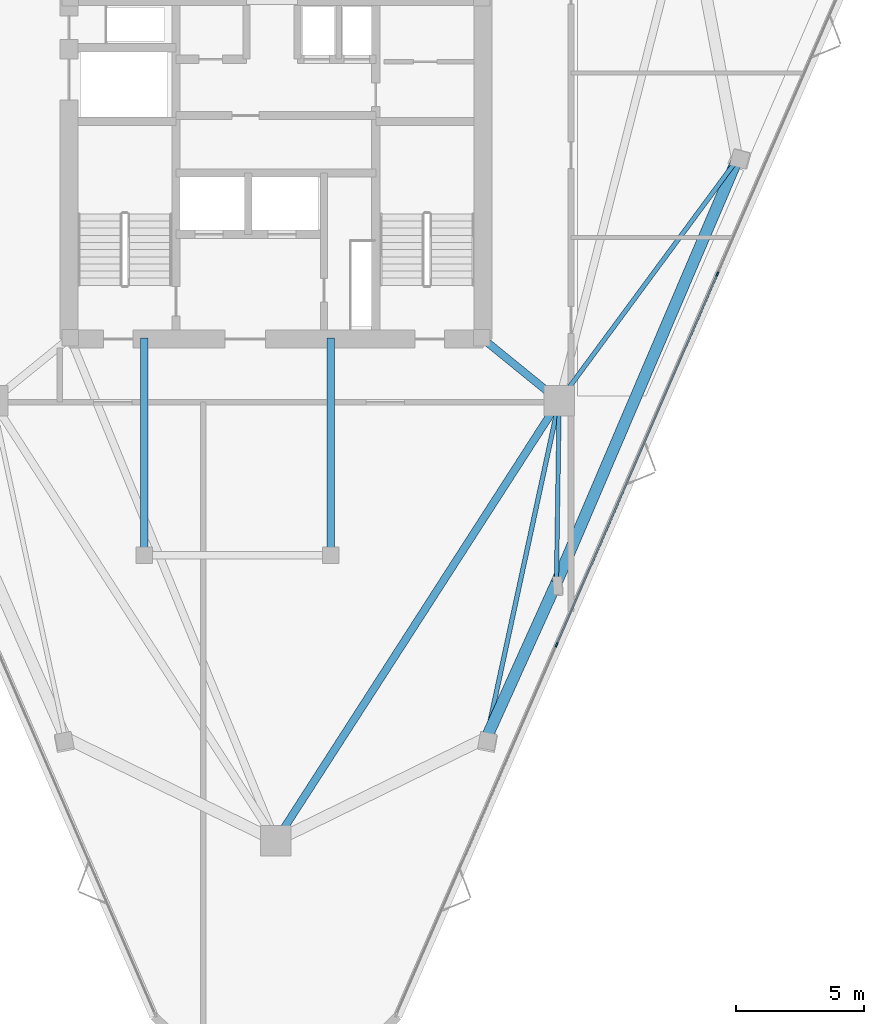
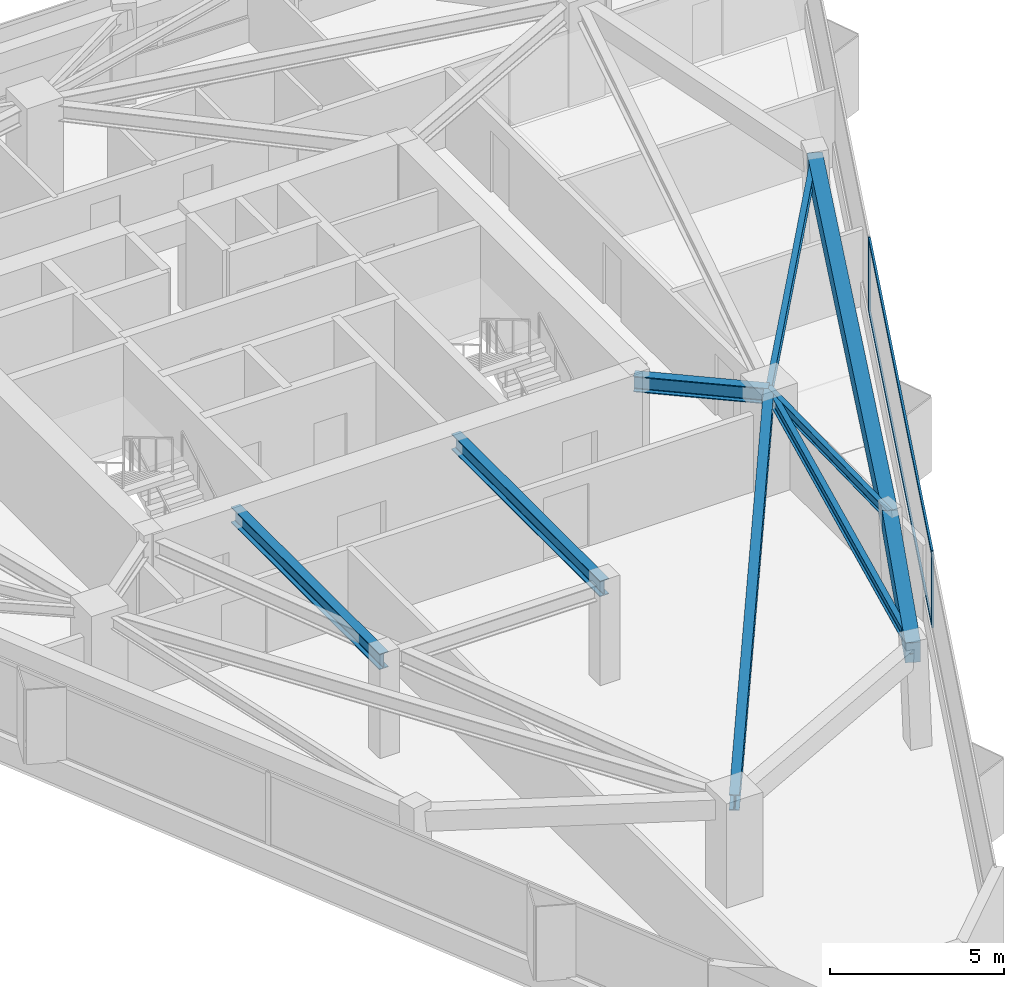
# One storey, part 4 of 11: 9 beams, 4 members, 1 element without a shape of its own.
"""IFC4 building model written with IfcOpenShell, lengths in metres."""

from ifc_helpers import new_model, si_unit, direction, frame, origin, origin_2d, place, context, subcontext, project, spatial, rectangle, i_section, extrude, material, layer, layer_set, material_profile, profile_set, type_object, element, aggregate, save


model = new_model("IFC4")

# Units and contexts
model_context = context("Model", 3, precision=1e-05, world=origin(), true_north=direction((0.0, 1.0)))
body_context = subcontext(model_context, "Body", "Model", "MODEL_VIEW")
ifc_project = project(units=[si_unit("LENGTHUNIT", "METRE"), si_unit("AREAUNIT", "SQUARE_METRE"), si_unit("VOLUMEUNIT", "CUBIC_METRE"), si_unit("PLANEANGLEUNIT", "RADIAN"), si_unit("MASSUNIT", "GRAM", prefix="KILO")], contexts=[model_context])

# Site, building, storey
site_placement = place(None, origin())
site = spatial("IfcSite", under=ifc_project, at=site_placement, CompositionType="ELEMENT")
building_placement = place(site_placement, origin())
building = spatial("IfcBuilding", under=site, at=building_placement, Name="Talyreon Biosciences Tower", CompositionType="ELEMENT")
storey_placement = place(building_placement, frame((0.0, 0.0, 235.25)))
storey = spatial("IfcBuildingStorey", under=building, at=storey_placement, Name="L62", CompositionType="ELEMENT", Elevation=235.25)

# Curtain wall, members
ifc_material_1 = material(Name="Thermally broken aluminium and low-E glazing", Category="aluminium")
ifc_layer = layer(ifc_material_1, 0.175048828125)
ifc_layer_set = layer_set([ifc_layer], Name="Thermally broken aluminium and low-E glazing")
curtain_wall_type = type_object("IfcCurtainWallType", Name="CurtainWall_Zone5CompLab", PredefinedType="NOTDEFINED", material=ifc_layer_set)
curtain_wall_placement = place(storey_placement, origin())
curtain_wall = element("IfcCurtainWall", 1, at=curtain_wall_placement, inside=storey, type_object=curtain_wall_type, Name="L62 Unitised Curtain Wall FCW-L62-08", PredefinedType="NOTDEFINED")
ifc_material_2 = material(Name="Anodised thermally broken aluminium", Category="aluminium")
ifc_material_profile_1 = material_profile(ifc_material_2, rectangle(XDim=0.06494140625, YDim=0.179931640625, at=origin_2d()), Name="ALUM MULLION 65x180")
ifc_profile_set_1 = profile_set([ifc_material_profile_1], Name="Anodised thermally broken aluminium")
member_type_1 = type_object("IfcMemberType", Name="CWMullion_65x180", PredefinedType="MULLION", material=ifc_profile_set_1)
member_1_placement = place(storey_placement, frame((83.27685546875, 63.8427734375, 0.81005859375), z_axis=(0.0, 0.0, 1.0), x_axis=(0.917458244079, -0.397832088162, 0.0)))
member_1 = element("IfcMember", 2, at=member_1_placement, type_object=member_type_1, Name="CW6 mullion 2", PredefinedType="MULLION", context=body_context, shape_type="SweptSolid", body=[
    extrude(rectangle(XDim=0.06494140625, YDim=0.179931640625, at=origin_2d()), origin(), (0.0, 0.0, 1.0), 2.58984375),
])
member_2_placement = place(storey_placement, frame((76.987060546875, 49.337646484375, 0.81005859375), z_axis=(0.0, 0.0, 1.0), x_axis=(0.917458244079, -0.397832088162, 0.0)))
member_2 = element("IfcMember", 3, at=member_2_placement, type_object=member_type_1, Name="CW6 mullion 3", PredefinedType="MULLION", context=body_context, shape_type="SweptSolid", body=[
    extrude(rectangle(XDim=0.06494140625, YDim=0.179931640625, at=origin_2d()), origin(), (0.0, 0.0, 1.0), 2.58984375),
])
ifc_material_profile_2 = material_profile(ifc_material_2, rectangle(XDim=0.06494140625, YDim=0.139892578125, at=origin_2d()), Name="ALUM TRANSOM 65x140")
ifc_profile_set_2 = profile_set([ifc_material_profile_2], Name="Anodised thermally broken aluminium")
member_type_2 = type_object("IfcMemberType", Name="CWTransom_65x140", PredefinedType="USERDEFINED", material=ifc_profile_set_2)
member_3_placement = place(storey_placement, frame((83.263916015625, 63.81298828125, 0.842529296875), z_axis=(-0.397830656241, -0.917458864993, 0.0), x_axis=(0.917458864993, -0.397830656241, 0.0)))
member_3 = element("IfcMember", 4, at=member_3_placement, type_object=member_type_2, Name="CW6 transom 2.1", ObjectType="TRANSOM", PredefinedType="USERDEFINED", context=body_context, shape_type="SweptSolid", body=[
    extrude(rectangle(XDim=0.06494140625, YDim=0.139892578125, at=origin_2d()), origin(), (0.0, 0.0, 1.0), 15.7451171875),
])
member_4_placement = place(storey_placement, frame((83.263916015625, 63.81298828125, 3.367431640625), z_axis=(-0.397830656241, -0.917458864993, 0.0), x_axis=(0.917458864993, -0.397830656241, 0.0)))
member_4 = element("IfcMember", 5, at=member_4_placement, type_object=member_type_2, Name="CW6 transom 2.2", ObjectType="TRANSOM", PredefinedType="USERDEFINED", context=body_context, shape_type="SweptSolid", body=[
    extrude(rectangle(XDim=0.06494140625, YDim=0.139892578125, at=origin_2d()), origin(), (0.0, 0.0, 1.0), 15.7451171875),
])
aggregate(curtain_wall, [member_1, member_2, member_3, member_4])

# Beams
ifc_material_3 = material(Name="Precast concrete C45/55", Category="concrete")
ifc_material_profile_3 = material_profile(ifc_material_3, rectangle(XDim=0.449951171875, YDim=0.699951171875, at=origin_2d()), Name="RCB 450x700")
ifc_profile_set_3 = profile_set([ifc_material_profile_3], Name="Precast concrete C45/55")
beam_type_1 = type_object("IfcBeamType", Name="ExpressedSpandrel_450x700", PredefinedType="SPANDREL", material=ifc_profile_set_3)
beam_1_placement = place(storey_placement, frame((74.244384765625, 45.701904296875, 3.050048828125), z_axis=(0.411588692392, 0.911369709994, 0.0), x_axis=(-0.911369709994, 0.411588692392, 0.0)))
element("IfcBeam", 6, at=beam_1_placement, inside=storey, type_object=beam_type_1, Name="L62 Expressed Horizontal Concrete Spandrel 02", PredefinedType="SPANDREL", context=body_context, shape_type="SweptSolid", body=[
    extrude(rectangle(XDim=0.449951171875, YDim=0.699951171875, at=origin_2d()), origin(), (0.0, 0.0, 1.0), 6.64111328125),
])
beam_2_placement = place(storey_placement, frame((76.977783203125, 51.75439453125, 3.050048828125), z_axis=(0.392740276482, 0.919649430614, 0.0), x_axis=(-0.919649430614, 0.392740276482, 0.0)))
element("IfcBeam", 7, at=beam_2_placement, inside=storey, type_object=beam_type_1, Name="L62 Expressed Horizontal Concrete Spandrel 03", PredefinedType="SPANDREL", context=body_context, shape_type="SweptSolid", body=[
    extrude(rectangle(XDim=0.449951171875, YDim=0.699951171875, at=origin_2d()), origin(), (0.0, 0.0, 1.0), 18.023681640625),
])
ifc_material_4 = material(Name="Steel SM355", Category="steel")
ifc_material_profile_4 = material_profile(ifc_material_4, i_section(OverallWidth=0.300048828125, OverallDepth=0.550048828125, WebThickness=0.014892578125, FlangeThickness=0.029052734375, FilletRadius=0.027099609375, at=origin_2d()), Name="HE550B")
ifc_profile_set_4 = profile_set([ifc_material_profile_4], Name="Steel SM355")
beam_type_2 = type_object("IfcBeamType", Name="SteelBeam_HE550B", PredefinedType="BEAM", material=ifc_profile_set_4)
beam_3_placement = place(storey_placement, frame((66.0, 41.6669921875, 3.125), z_axis=(0.541463723609, 0.840724114092, 0.0), x_axis=(-0.840724114092, 0.541463723609, 0.0)))
element("IfcBeam", 8, at=beam_3_placement, inside=storey, type_object=beam_type_2, Name="L62 Mega-Ring Girder 1", PredefinedType="BEAM", context=body_context, shape_type="SweptSolid", body=[
    extrude(i_section(OverallWidth=0.300048828125, OverallDepth=0.550048828125, WebThickness=0.014892578125, FlangeThickness=0.029052734375, FilletRadius=0.027099609375, at=origin_2d()), origin(), (0.0, 0.0, 1.0), 20.474365234375),
])
beam_4_placement = place(storey_placement, frame((74.050048828125, 61.35009765625, 3.125), z_axis=(0.775755154013, -0.631034025249, 0.0), x_axis=(0.631034025249, 0.775755154013, 0.0)))
element("IfcBeam", 9, at=beam_4_placement, inside=storey, type_object=beam_type_2, Name="L62 Radial Primary Girder 2", PredefinedType="BEAM", context=body_context, shape_type="SweptSolid", body=[
    extrude(i_section(OverallWidth=0.300048828125, OverallDepth=0.550048828125, WebThickness=0.014892578125, FlangeThickness=0.029052734375, FilletRadius=0.027099609375, at=origin_2d()), origin(), (0.0, 0.0, 1.0), 3.913818359375),
])
for number, where, z_axis, x_axis, name in (
    (10, (60.85009765625, 52.840087890625, 3.125), (0.0, 1.0, 0.0), (-1.0, 0.0, 0.0), "L62 Crown Shaft Tie Girder W"),
    (11, (68.14990234375, 52.840087890625, 3.125), (0.0, 1.0, 0.0), (-1.0, 0.0, 0.0), "L62 Crown Shaft Tie Girder E"),
):
    element("IfcBeam", number, at=place(storey_placement, frame(where, z_axis=z_axis, x_axis=x_axis)), inside=storey, type_object=beam_type_2, Name=name, PredefinedType="BEAM", context=body_context, shape_type="SweptSolid", body=[
        extrude(i_section(OverallWidth=0.300048828125, OverallDepth=0.550048828125, WebThickness=0.014892578125, FlangeThickness=0.029052734375, FilletRadius=0.027099609375, at=origin_2d()), origin(), (0.0, 0.0, 1.0), 8.510009765625),
    ])
ifc_material_profile_5 = material_profile(ifc_material_4, i_section(OverallWidth=0.169921875, OverallDepth=0.360107421875, WebThickness=0.008056640625, FlangeThickness=0.0126953125, FilletRadius=0.01806640625, at=origin_2d()), Name="IPE360")
ifc_profile_set_5 = profile_set([ifc_material_profile_5], Name="Steel SM355")
beam_type_3 = type_object("IfcBeamType", Name="SteelJoist_IPE360", PredefinedType="JOIST", material=ifc_profile_set_5)
beam_5_placement = place(storey_placement, frame((77.086181640625, 58.88037109375, 3.219970703125), z_axis=(-0.015209971181, -0.999884321698, 0.0), x_axis=(0.999884321698, -0.015209971181, 0.0)))
element("IfcBeam", 12, at=beam_5_placement, inside=storey, type_object=beam_type_3, Name="L62 Radial Composite Floor Joist PL-SE", PredefinedType="JOIST", context=body_context, shape_type="SweptSolid", body=[
    extrude(i_section(OverallWidth=0.169921875, OverallDepth=0.360107421875, WebThickness=0.008056640625, FlangeThickness=0.0126953125, FilletRadius=0.01806640625, at=origin_2d()), origin(), (0.0, 0.0, 1.0), 7.126708984375),
])
ifc_material_profile_6 = material_profile(ifc_material_4, i_section(OverallWidth=0.179931640625, OverallDepth=0.39990234375, WebThickness=0.008544921875, FlangeThickness=0.013427734375, FilletRadius=0.02099609375, at=origin_2d()), Name="IPE400")
ifc_profile_set_6 = profile_set([ifc_material_profile_6], Name="Steel SM355")
beam_type_4 = type_object("IfcBeamType", Name="SteelJoist_IPE400", PredefinedType="JOIST", material=ifc_profile_set_6)
beam_6_placement = place(storey_placement, frame((77.086181640625, 58.88037109375, 3.199951171875), z_axis=(-0.210794101972, -0.977530483706, 0.0), x_axis=(0.977530483706, -0.210794101972, 0.0)))
element("IfcBeam", 13, at=beam_6_placement, inside=storey, type_object=beam_type_4, Name="L62 Radial Composite Floor Joist PC-SE1", PredefinedType="JOIST", context=body_context, shape_type="SweptSolid", body=[
    extrude(i_section(OverallWidth=0.179931640625, OverallDepth=0.39990234375, WebThickness=0.008544921875, FlangeThickness=0.013427734375, FilletRadius=0.02099609375, at=origin_2d()), origin(), (0.0, 0.0, 1.0), 13.4814453125),
])
beam_7_placement = place(storey_placement, frame((77.086181640625, 58.88037109375, 3.199951171875), z_axis=(0.593610320298, 0.804752625119, 0.0), x_axis=(-0.804752625119, 0.593610320298, 0.0)))
element("IfcBeam", 14, at=beam_7_placement, inside=storey, type_object=beam_type_4, Name="L62 Radial Composite Floor Joist PC-SE2", PredefinedType="JOIST", context=body_context, shape_type="SweptSolid", body=[
    extrude(i_section(OverallWidth=0.179931640625, OverallDepth=0.39990234375, WebThickness=0.008544921875, FlangeThickness=0.013427734375, FilletRadius=0.02099609375, at=origin_2d()), origin(), (0.0, 0.0, 1.0), 11.7421875),
])

save(model, "model.ifc")
